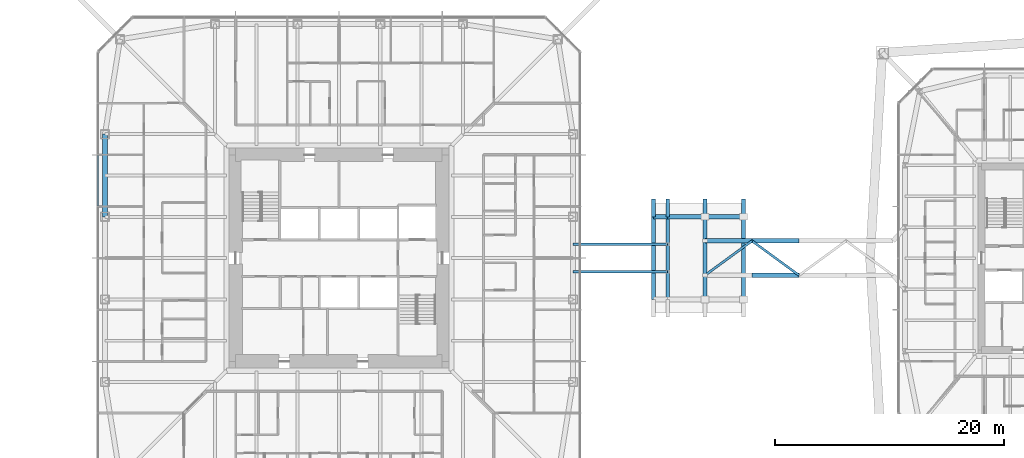
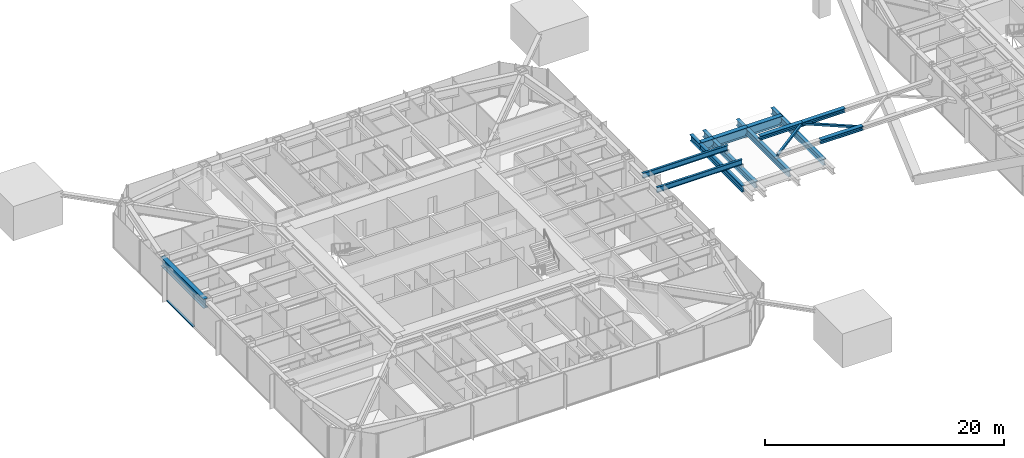
# One storey, part 6 of 27: 14 beams, 6 members, 1 element without a shape of its own.
"""IFC4 building model written with IfcOpenShell, lengths in metres."""

from ifc_helpers import new_model, si_unit, direction, frame, origin, origin_2d, place, context, subcontext, project, spatial, rectangle, hollow_rectangle, i_section, extrude, material, material_profile, profile_set, type_object, element, aggregate, save


model = new_model("IFC4")

# Units and contexts
model_context = context("Model", 3, precision=1e-05, world=origin(), true_north=direction((0.0, 1.0)))
body_context = subcontext(model_context, "Body", "Model", "MODEL_VIEW")
ifc_project = project(units=[si_unit("LENGTHUNIT", "METRE"), si_unit("AREAUNIT", "SQUARE_METRE"), si_unit("VOLUMEUNIT", "CUBIC_METRE"), si_unit("PLANEANGLEUNIT", "RADIAN"), si_unit("MASSUNIT", "GRAM", prefix="KILO")], contexts=[model_context])

# Site, building, storey
site_placement = place(None, origin())
site = spatial("IfcSite", under=ifc_project, at=site_placement, CompositionType="ELEMENT")
building_placement = place(site_placement, origin())
building = spatial("IfcBuilding", under=site, at=building_placement, Name="Iwan Alto Co-Living Towers", CompositionType="ELEMENT")
storey_placement = place(building_placement, frame((0.0, 0.0, 94.5)))
storey = spatial("IfcBuildingStorey", under=building, at=storey_placement, Name="L25", CompositionType="ELEMENT", Elevation=94.5)

# Beams
ifc_material_1 = material(Name="Steel ASTM A992 Gr 50", Category="steel")
ifc_material_profile_1 = material_profile(ifc_material_1, i_section(OverallWidth=0.2109375, OverallDepth=0.53857421875, WebThickness=0.011474609375, FlangeThickness=0.018798828125, at=origin_2d()), Name="W21X73")
ifc_profile_set_1 = profile_set([ifc_material_profile_1], Name="Steel ASTM A992 Gr 50")
beam_type_1 = type_object("IfcBeamType", Name="BRIDGE LANDING BEAM W21X73", PredefinedType="BEAM", material=ifc_profile_set_1)
for number, where, z_axis, x_axis, name in (
    (1, (20.39990234375, -1.194580078125, 3.03076171875), (1.0, 0.0, 0.0), (0.0, 1.0, 0.0), "BR1 walkway stringer S"),
    (2, (20.39990234375, 1.194580078125, 3.03076171875), (1.0, 0.0, 0.0), (0.0, 1.0, 0.0), "BR1 walkway stringer N"),
):
    element("IfcBeam", number, at=place(storey_placement, frame(where, z_axis=z_axis, x_axis=x_axis)), inside=storey, type_object=beam_type_1, Name=name, PredefinedType="BEAM", context=body_context, shape_type="SweptSolid", body=[
        extrude(i_section(OverallWidth=0.2109375, OverallDepth=0.53857421875, WebThickness=0.011474609375, FlangeThickness=0.018798828125, at=origin_2d()), origin(), (0.0, 0.0, 1.0), 8.25),
    ])

# Members
ifc_material_2 = material(Name="Steel ASTM A500 Gr C", Category="steel")
ifc_material_profile_2 = material_profile(ifc_material_2, hollow_rectangle(XDim=0.203125, YDim=0.203125, WallThickness=0.01171875, at=origin_2d()), Name="HSS8X8X1/2")
ifc_profile_set_2 = profile_set([ifc_material_profile_2], Name="Steel ASTM A500 Gr C")
member_type_1 = type_object("IfcMemberType", Name="BRIDGE PLAN BRACE HSS8X8X1/2", PredefinedType="BRACE", material=ifc_profile_set_2)
for number, where, z_axis, x_axis, name in (
    (3, (31.89990234375, -1.5, 2.720947265625), (0.807037028369, 0.590500833905, 0.0), (-0.590500833905, 0.807037028369, 0.0), "BR1 plan brace 1"),
    (4, (36.0, 1.5, 2.720947265625), (0.807037028369, -0.590500833905, 0.0), (0.590500833905, 0.807037028369, 0.0), "BR1 plan brace 2"),
):
    element("IfcMember", number, at=place(storey_placement, frame(where, z_axis=z_axis, x_axis=x_axis)), inside=storey, type_object=member_type_1, Name=name, PredefinedType="BRACE", context=body_context, shape_type="SweptSolid", body=[
        extrude(hollow_rectangle(XDim=0.203125, YDim=0.203125, WallThickness=0.01171875, at=origin_2d()), origin(), (0.0, 0.0, 1.0), 5.080322265625),
    ])

# Beams
ifc_material_3 = material(Name="Steel ASTM A992 Gr 50", Category="steel")
ifc_material_profile_3 = material_profile(ifc_material_3, i_section(OverallWidth=0.424072265625, OverallDepth=0.947509765625, WebThickness=0.02392578125, FlangeThickness=0.042724609375, at=origin_2d()), Name="W36X302")
ifc_profile_set_3 = profile_set([ifc_material_profile_3], Name="Steel ASTM A992 Gr 50")
beam_type_2 = type_object("IfcBeamType", Name="BRIDGE POD EDGE GIRDER W36X302", PredefinedType="BEAM", material=ifc_profile_set_3)
beam_1_placement = place(storey_placement, frame((27.423828125, 3.60009765625, 2.11767578125), z_axis=(1.0, 0.0, 0.0), x_axis=(0.0, 1.0, 0.0)))
element("IfcBeam", 5, at=beam_1_placement, inside=storey, type_object=beam_type_2, Name="BR1 landing grillage edge girder N 1", PredefinedType="BEAM", context=body_context, shape_type="SweptSolid", body=[
    extrude(i_section(OverallWidth=0.424072265625, OverallDepth=0.947509765625, WebThickness=0.02392578125, FlangeThickness=0.042724609375, at=origin_2d()), origin(), (0.0, 0.0, 1.0), 1.22607421875),
])
beam_2_placement = place(storey_placement, frame((28.64990234375, 3.60009765625, 2.11767578125), z_axis=(1.0, 0.0, 0.0), x_axis=(0.0, 1.0, 0.0)))
element("IfcBeam", 6, at=beam_2_placement, inside=storey, type_object=beam_type_2, Name="BR1 landing grillage edge girder N 2", PredefinedType="BEAM", context=body_context, shape_type="SweptSolid", body=[
    extrude(i_section(OverallWidth=0.424072265625, OverallDepth=0.947509765625, WebThickness=0.02392578125, FlangeThickness=0.042724609375, at=origin_2d()), origin(), (0.0, 0.0, 1.0), 3.25),
])
beam_3_placement = place(storey_placement, frame((31.89990234375, 3.60009765625, 2.11767578125), z_axis=(1.0, 0.0, 0.0), x_axis=(0.0, 1.0, 0.0)))
element("IfcBeam", 7, at=beam_3_placement, inside=storey, type_object=beam_type_2, Name="BR1 landing grillage edge girder N 3", PredefinedType="BEAM", context=body_context, shape_type="SweptSolid", body=[
    extrude(i_section(OverallWidth=0.424072265625, OverallDepth=0.947509765625, WebThickness=0.02392578125, FlangeThickness=0.042724609375, at=origin_2d()), origin(), (0.0, 0.0, 1.0), 3.35009765625),
])
ifc_material_4 = material(Name="Steel ASTM A992 Gr 50", Category="steel")
ifc_material_profile_4 = material_profile(ifc_material_4, i_section(OverallWidth=0.32763671875, OverallDepth=0.64013671875, WebThickness=0.01904296875, FlangeThickness=0.033935546875, at=origin_2d()), Name="W24X176")
ifc_profile_set_4 = profile_set([ifc_material_profile_4], Name="Steel ASTM A992 Gr 50")
beam_type_3 = type_object("IfcBeamType", Name="BRIDGE POD GRILLAGE GIRDER W24X176", PredefinedType="BEAM", material=ifc_profile_set_4)
beam_4_placement = place(storey_placement, frame((27.423828125, -3.60009765625, 2.11767578125), z_axis=(0.0, 1.0, 0.0), x_axis=(-1.0, 0.0, 0.0)))
element("IfcBeam", 8, at=beam_4_placement, inside=storey, type_object=beam_type_3, Name="BR1 landing grillage girder 2", PredefinedType="BEAM", context=body_context, shape_type="SweptSolid", body=[
    extrude(i_section(OverallWidth=0.32763671875, OverallDepth=0.64013671875, WebThickness=0.01904296875, FlangeThickness=0.033935546875, at=origin_2d()), origin(), (0.0, 0.0, 1.0), 7.2001953125),
])
beam_5_placement = place(storey_placement, frame((27.423828125, 3.60009765625, 2.11767578125), z_axis=(0.0, 1.0, 0.0), x_axis=(-1.0, 0.0, 0.0)))
element("IfcBeam", 9, at=beam_5_placement, inside=storey, type_object=beam_type_3, Name="BR1 landing grillage girder 3", PredefinedType="BEAM", context=body_context, shape_type="SweptSolid", body=[
    extrude(i_section(OverallWidth=0.32763671875, OverallDepth=0.64013671875, WebThickness=0.01904296875, FlangeThickness=0.033935546875, at=origin_2d()), origin(), (0.0, 0.0, 1.0), 1.5498046875),
])
beam_6_placement = place(storey_placement, frame((28.64990234375, -3.60009765625, 2.11767578125), z_axis=(0.0, 1.0, 0.0), x_axis=(-1.0, 0.0, 0.0)))
element("IfcBeam", 10, at=beam_6_placement, inside=storey, type_object=beam_type_3, Name="BR1 landing grillage girder 2", PredefinedType="BEAM", context=body_context, shape_type="SweptSolid", body=[
    extrude(i_section(OverallWidth=0.32763671875, OverallDepth=0.64013671875, WebThickness=0.01904296875, FlangeThickness=0.033935546875, at=origin_2d()), origin(), (0.0, 0.0, 1.0), 7.2001953125),
])
beam_7_placement = place(storey_placement, frame((28.64990234375, 3.60009765625, 2.11767578125), z_axis=(0.0, 1.0, 0.0), x_axis=(-1.0, 0.0, 0.0)))
element("IfcBeam", 11, at=beam_7_placement, inside=storey, type_object=beam_type_3, Name="BR1 landing grillage girder 3", PredefinedType="BEAM", context=body_context, shape_type="SweptSolid", body=[
    extrude(i_section(OverallWidth=0.32763671875, OverallDepth=0.64013671875, WebThickness=0.01904296875, FlangeThickness=0.033935546875, at=origin_2d()), origin(), (0.0, 0.0, 1.0), 1.5498046875),
])
beam_8_placement = place(storey_placement, frame((31.89990234375, -3.60009765625, 2.11767578125), z_axis=(0.0, 1.0, 0.0), x_axis=(-1.0, 0.0, 0.0)))
element("IfcBeam", 12, at=beam_8_placement, inside=storey, type_object=beam_type_3, Name="BR1 landing grillage girder 2", PredefinedType="BEAM", context=body_context, shape_type="SweptSolid", body=[
    extrude(i_section(OverallWidth=0.32763671875, OverallDepth=0.64013671875, WebThickness=0.01904296875, FlangeThickness=0.033935546875, at=origin_2d()), origin(), (0.0, 0.0, 1.0), 7.2001953125),
])
beam_9_placement = place(storey_placement, frame((31.89990234375, 3.60009765625, 2.11767578125), z_axis=(0.0, 1.0, 0.0), x_axis=(-1.0, 0.0, 0.0)))
element("IfcBeam", 13, at=beam_9_placement, inside=storey, type_object=beam_type_3, Name="BR1 landing grillage girder 3", PredefinedType="BEAM", context=body_context, shape_type="SweptSolid", body=[
    extrude(i_section(OverallWidth=0.32763671875, OverallDepth=0.64013671875, WebThickness=0.01904296875, FlangeThickness=0.033935546875, at=origin_2d()), origin(), (0.0, 0.0, 1.0), 1.5498046875),
])
beam_10_placement = place(storey_placement, frame((35.25, -3.60009765625, 2.11767578125), z_axis=(0.0, 1.0, 0.0), x_axis=(-1.0, 0.0, 0.0)))
element("IfcBeam", 14, at=beam_10_placement, inside=storey, type_object=beam_type_3, Name="BR1 landing grillage girder 2", PredefinedType="BEAM", context=body_context, shape_type="SweptSolid", body=[
    extrude(i_section(OverallWidth=0.32763671875, OverallDepth=0.64013671875, WebThickness=0.01904296875, FlangeThickness=0.033935546875, at=origin_2d()), origin(), (0.0, 0.0, 1.0), 7.2001953125),
])
beam_11_placement = place(storey_placement, frame((35.25, 3.60009765625, 2.11767578125), z_axis=(0.0, 1.0, 0.0), x_axis=(-1.0, 0.0, 0.0)))
element("IfcBeam", 15, at=beam_11_placement, inside=storey, type_object=beam_type_3, Name="BR1 landing grillage girder 3", PredefinedType="BEAM", context=body_context, shape_type="SweptSolid", body=[
    extrude(i_section(OverallWidth=0.32763671875, OverallDepth=0.64013671875, WebThickness=0.01904296875, FlangeThickness=0.033935546875, at=origin_2d()), origin(), (0.0, 0.0, 1.0), 1.5498046875),
])

# Members
ifc_material_5 = material(Name="Steel ASTM A992 Gr 50", Category="steel")
ifc_material_profile_5 = material_profile(ifc_material_5, i_section(OverallWidth=0.40380859375, OverallDepth=0.406494140625, WebThickness=0.027099609375, FlangeThickness=0.043701171875, at=origin_2d()), Name="W14X233")
ifc_profile_set_5 = profile_set([ifc_material_profile_5], Name="Steel ASTM A992 Gr 50")
member_type_2 = type_object("IfcMemberType", Name="BRIDGE TRUSS CHORD W14X233", PredefinedType="CHORD", material=ifc_profile_set_5)
for number, where, z_axis, x_axis, name in (
    (16, (36.0, -1.5, 2.720947265625), (1.0, 0.0, 0.0), (0.0, 1.0, 0.0), "BR1 truss S bottom chord 2"),
    (17, (31.89990234375, 1.5, 2.720947265625), (1.0, 0.0, 0.0), (0.0, 1.0, 0.0), "BR1 truss N bottom chord 1"),
    (18, (36.0, 1.5, 2.720947265625), (1.0, 0.0, 0.0), (0.0, 1.0, 0.0), "BR1 truss N bottom chord 2"),
):
    element("IfcMember", number, at=place(storey_placement, frame(where, z_axis=z_axis, x_axis=x_axis)), inside=storey, type_object=member_type_2, Name=name, PredefinedType="CHORD", context=body_context, shape_type="SweptSolid", body=[
        extrude(i_section(OverallWidth=0.40380859375, OverallDepth=0.406494140625, WebThickness=0.027099609375, FlangeThickness=0.043701171875, at=origin_2d()), origin(), (0.0, 0.0, 1.0), 4.10009765625),
    ])

# Curtain wall, member
ifc_material_6 = material(Name="Bronze aluminium unitised frame", Category="aluminium")
curtain_wall_type = type_object("IfcCurtainWallType", Name="CURTAIN WALL CW-A", PredefinedType="NOTDEFINED", material=ifc_material_6)
curtain_wall_placement = place(storey_placement, origin())
curtain_wall = element("IfcCurtainWall", 19, at=curtain_wall_placement, inside=storey, type_object=curtain_wall_type, Name="T1 curtain wall W L25", PredefinedType="NOTDEFINED")
ifc_material_7 = material(Name="Aluminium 6063-T6 bronze anodised", Category="aluminium")
ifc_material_profile_6 = material_profile(ifc_material_7, rectangle(XDim=0.199951171875, YDim=0.10009765625, at=origin_2d()), Name="AL 200X100")
ifc_profile_set_6 = profile_set([ifc_material_profile_6], Name="Aluminium 6063-T6 bronze anodised")
member_type_3 = type_object("IfcMemberType", Name="CW-A TRANSOM 200X100", PredefinedType="USERDEFINED", material=ifc_profile_set_6)
member_placement = place(storey_placement, frame((-21.0, 8.9599609375, 0.050048828125), z_axis=(0.0, -1.0, 0.0), x_axis=(1.0, 0.0, 0.0)))
member = element("IfcMember", 20, at=member_placement, type_object=member_type_3, Name="CW-A transom 3.1", ObjectType="TRANSOM", PredefinedType="USERDEFINED", context=body_context, shape_type="SweptSolid", body=[
    extrude(rectangle(XDim=0.199951171875, YDim=0.10009765625, at=origin_2d()), origin(), (0.0, 0.0, 1.0), 4.419921875),
])
aggregate(curtain_wall, [member])

# Beam
ifc_material_8 = material(Name="Steel ASTM A992 Gr 50", Category="steel")
ifc_material_profile_7 = material_profile(ifc_material_8, i_section(OverallWidth=0.424072265625, OverallDepth=0.947509765625, WebThickness=0.02392578125, FlangeThickness=0.042724609375, at=origin_2d()), Name="W36X302")
ifc_profile_set_7 = profile_set([ifc_material_profile_7], Name="Steel ASTM A992 Gr 50")
beam_type_4 = type_object("IfcBeamType", Name="T1 EDGE BEAM W36X302", PredefinedType="BEAM", material=ifc_profile_set_7)
beam_12_placement = place(storey_placement, frame((-20.39990234375, 10.800048828125, 2.79638671875), z_axis=(0.0, -1.0, 0.0), x_axis=(1.0, 0.0, 0.0)))
element("IfcBeam", 21, at=beam_12_placement, inside=storey, type_object=beam_type_4, Name="T1 edge beam W1 L26", PredefinedType="BEAM", context=body_context, shape_type="SweptSolid", body=[
    extrude(i_section(OverallWidth=0.424072265625, OverallDepth=0.947509765625, WebThickness=0.02392578125, FlangeThickness=0.042724609375, at=origin_2d()), origin(), (0.0, 0.0, 1.0), 7.199951171875),
])

save(model, "model.ifc")
